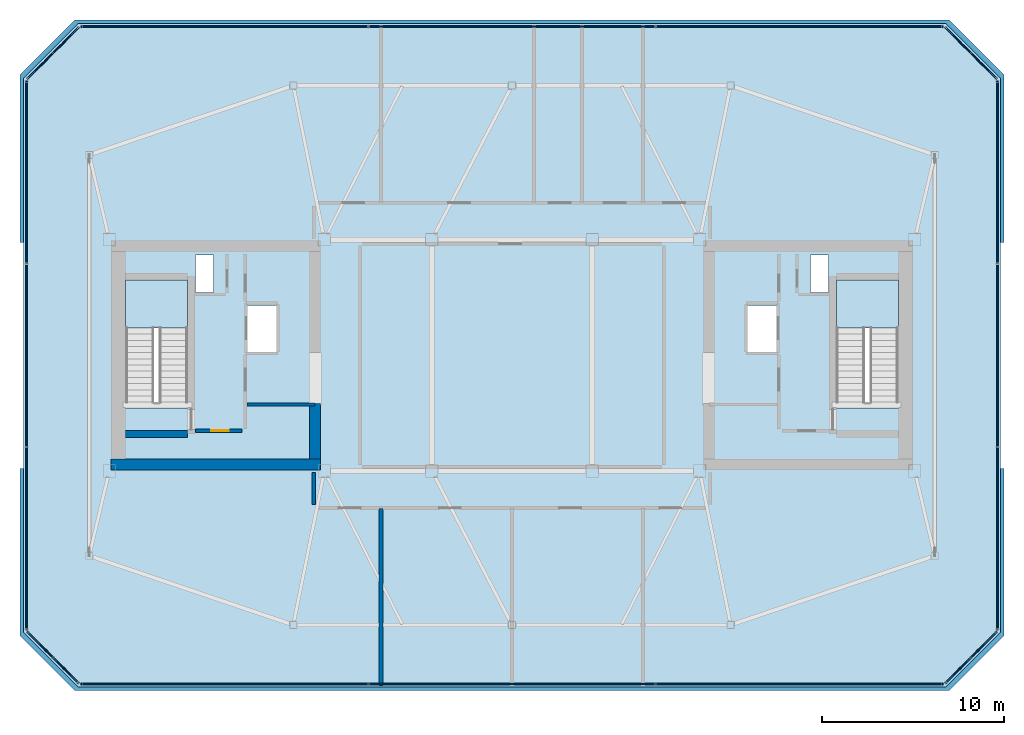
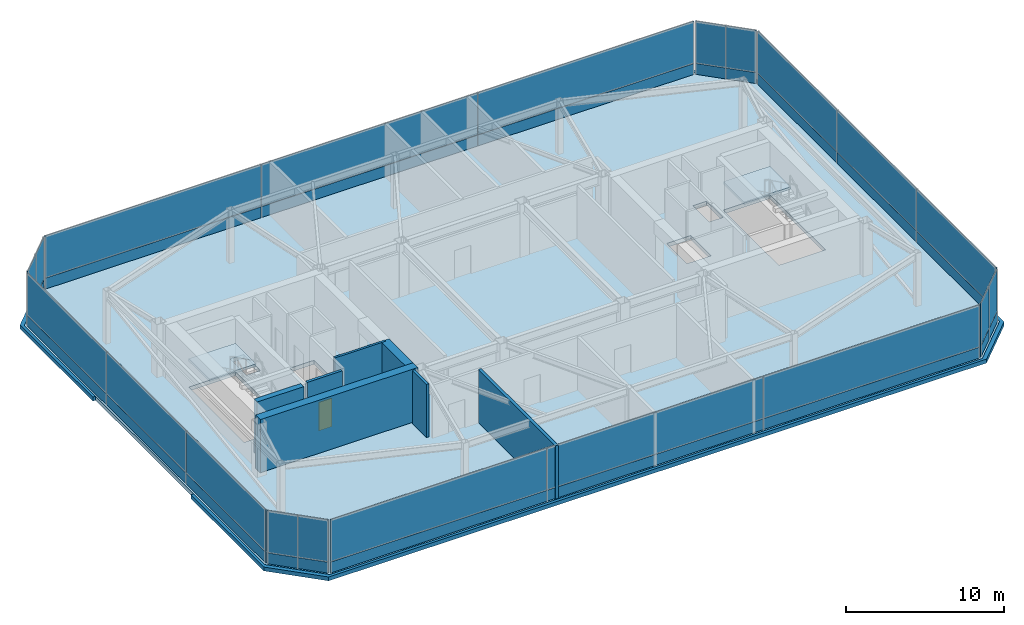
# One storey, part 17 of 22: 40 plates, 7 walls, 5 slabs, 1 door, 1 opening, 10 elements without a shape of their own.
"""IFC4 building model written with IfcOpenShell, lengths in metres."""

from ifc_helpers import new_model, si_unit, direction, frame, frame_2d, origin, origin_2d, place, context, subcontext, project, spatial, polyline, rectangle, outline, extrude, material, layer, layer_set, type_object, element, fill, aggregate, save


model = new_model("IFC4")

# Units and contexts
model_context = context("Model", 3, precision=1e-05, world=origin(), true_north=direction((0.0, 1.0)))
body_context = subcontext(model_context, "Body", "Model", "MODEL_VIEW")
ifc_project = project(units=[si_unit("LENGTHUNIT", "METRE"), si_unit("AREAUNIT", "SQUARE_METRE"), si_unit("VOLUMEUNIT", "CUBIC_METRE"), si_unit("PLANEANGLEUNIT", "RADIAN"), si_unit("MASSUNIT", "GRAM", prefix="KILO")], contexts=[model_context])

# Site, building, storey
site_placement = place(None, origin())
site = spatial("IfcSite", under=ifc_project, at=site_placement, CompositionType="ELEMENT")
building_placement = place(site_placement, origin())
building = spatial("IfcBuilding", under=site, at=building_placement, Name="Tavrogorsk Clinical Tower", CompositionType="ELEMENT")
storey_placement = place(building_placement, frame((0.0, 0.0, 339.800048828125)))
storey = spatial("IfcBuildingStorey", under=building, at=storey_placement, Name="L79", CompositionType="ELEMENT", Elevation=339.800048828125)

# Slabs
ifc_material_1 = material(Name="Concrete B60", Category="concrete")
ifc_layer_1 = layer(ifc_material_1, 0.300048828125)
ifc_layer_set_1 = layer_set([ifc_layer_1], Name="Concrete B60")
slab_type_1 = type_object("IfcSlabType", Name="CrownRoofSlab_300", PredefinedType="FLOOR", material=ifc_layer_set_1)
slab_1_placement = place(storey_placement, frame((0.0, 0.0, -0.300048828125)))
element("IfcSlab", 1, at=slab_1_placement, inside=storey, type_object=slab_type_1, Name="L79 Structural Slab", PredefinedType="FLOOR", context=body_context, shape_type="SweptSolid", body=[
    extrude(outline(polyline([(-23.800048828125, -18.199951171875), (23.800048828125, -18.199951171875), (26.800048828125, -15.199951171875), (26.800048828125, 15.199951171875), (23.800048828125, 18.199951171875), (-23.800048828125, 18.199951171875), (-26.800048828125, 15.199951171875), (-26.800048828125, -15.199951171875), (-23.800048828125, -18.199951171875)]), holes=[polyline([(-17.800048828125, -2.8798828125), (-17.800048828125, 4.125), (-21.199951171875, 4.125), (-21.199951171875, -2.8798828125), (-17.800048828125, -2.8798828125)]), polyline([(21.199951171875, -2.8798828125), (21.199951171875, 4.125), (17.800048828125, 4.125), (17.800048828125, -2.8798828125), (21.199951171875, -2.8798828125)]), polyline([(-14.6201171875, 0.169921875), (-12.860107421875, 0.169921875), (-12.860107421875, 2.72998046875), (-14.6201171875, 2.72998046875), (-14.6201171875, 0.169921875)]), polyline([(12.860107421875, 0.169921875), (14.6201171875, 0.169921875), (14.6201171875, 2.72998046875), (12.860107421875, 2.72998046875), (12.860107421875, 0.169921875)]), polyline([(-17.3798828125, 3.449951171875), (-16.3798828125, 3.449951171875), (-16.3798828125, 5.5), (-17.3798828125, 5.5), (-17.3798828125, 3.449951171875)]), polyline([(16.3798828125, 3.449951171875), (17.3798828125, 3.449951171875), (17.3798828125, 5.5), (16.3798828125, 5.5), (16.3798828125, 3.449951171875)])]), origin(), (0.0, 0.0, 1.0), 0.300048828125),
])
ifc_material_2 = material(Name="Concrete B60", Category="concrete")
ifc_layer_2 = layer(ifc_material_2, 0.300048828125)
ifc_layer_set_2 = layer_set([ifc_layer_2], Name="Concrete B60")
slab_type_2 = type_object("IfcSlabType", Name="CrownTopRoofSlab_300", PredefinedType="ROOF", material=ifc_layer_set_2)
slab_2_placement = place(storey_placement, frame((0.0, 0.0, -0.300048828125)))
element("IfcSlab", 2, at=slab_2_placement, inside=storey, type_object=slab_type_2, Name="L79 Setback Roof Slab 1", PredefinedType="ROOF", context=body_context, shape_type="SweptSolid", body=[
    extrude(outline(polyline([(-27.0, -6.199951171875), (-26.800048828125, -6.199951171875), (-26.800048828125, -15.199951171875), (-23.800048828125, -18.199951171875), (23.800048828125, -18.199951171875), (26.800048828125, -15.199951171875), (26.800048828125, -6.199951171875), (27.0, -6.199951171875), (27.0, -15.39990234375), (24.0, -18.39990234375), (-24.0, -18.39990234375), (-27.0, -15.39990234375), (-27.0, -6.199951171875)])), origin(), (0.0, 0.0, 1.0), 0.300048828125),
])
slab_3_placement = place(storey_placement, frame((0.0, 0.0, -0.300048828125)))
element("IfcSlab", 3, at=slab_3_placement, inside=storey, type_object=slab_type_2, Name="L79 Setback Roof Slab 2", PredefinedType="ROOF", context=body_context, shape_type="SweptSolid", body=[
    extrude(outline(polyline([(-27.0, 15.39990234375), (-24.0, 18.39990234375), (24.0, 18.39990234375), (27.0, 15.39990234375), (27.0, 6.199951171875), (26.800048828125, 6.199951171875), (26.800048828125, 15.199951171875), (23.800048828125, 18.199951171875), (-23.800048828125, 18.199951171875), (-26.800048828125, 15.199951171875), (-26.800048828125, 6.199951171875), (-27.0, 6.199951171875), (-27.0, 15.39990234375)])), origin(), (0.0, 0.0, 1.0), 0.300048828125),
])

# Curtain wall, plates
ifc_material_3 = material(Name="Anodised aluminium and triple IGU glazing", Category="aluminium")
ifc_layer_3 = layer(ifc_material_3, 0.179931640625)
ifc_layer_set_3 = layer_set([ifc_layer_3], Name="Anodised aluminium and triple IGU glazing")
curtain_wall_type = type_object("IfcCurtainWallType", Name="CW6_TmdLantern", PredefinedType="NOTDEFINED", material=ifc_layer_set_3)
curtain_wall_1_placement = place(storey_placement, origin())
curtain_wall_1 = element("IfcCurtainWall", 4, at=curtain_wall_1_placement, inside=storey, type_object=curtain_wall_type, Name="L79 Curtain Wall CW-L79-DRUM-1", PredefinedType="NOTDEFINED")
ifc_material_4 = material(Name="Honed Podolsk limestone spandrel panel", Category="masonry")
ifc_layer_4 = layer(ifc_material_4, 0.080078125)
ifc_layer_set_4 = layer_set([ifc_layer_4], Name="Honed Podolsk limestone spandrel panel")
plate_type_1 = type_object("IfcPlateType", Name="CwSpandrelStonePanel_80", PredefinedType="CURTAIN_PANEL", material=ifc_layer_set_4)
plate_1_placement = place(storey_placement, frame((-24.477294921875, -17.29638671875, 0.001953125), z_axis=(0.0, 0.0, 1.0), x_axis=(-0.707106781187, 0.707106781187, 0.0)))
plate_1 = element("IfcPlate", 5, at=plate_1_placement, type_object=plate_type_1, Name="CW-L79-DRUM-1 Stone Spandrel Panel 1", PredefinedType="CURTAIN_PANEL", context=body_context, shape_type="SweptSolid", body=[
    extrude(rectangle(XDim=1.98291015625, YDim=0.080078125, at=origin_2d()), origin(), (0.0, 0.0, 1.0), 0.8359375),
])
plate_2_placement = place(storey_placement, frame((-25.896484375, -15.877197265625, 0.001953125), z_axis=(0.0, 0.0, 1.0), x_axis=(-0.707106781187, 0.707106781187, 0.0)))
plate_2 = element("IfcPlate", 6, at=plate_2_placement, type_object=plate_type_1, Name="CW-L79-DRUM-1 Stone Spandrel Panel 2", PredefinedType="CURTAIN_PANEL", context=body_context, shape_type="SweptSolid", body=[
    extrude(rectangle(XDim=1.98291015625, YDim=0.080078125, at=origin_2d()), origin(), (0.0, 0.0, 1.0), 0.8359375),
])

curtain_wall_2_placement = place(storey_placement, origin())
curtain_wall_2 = element("IfcCurtainWall", 7, at=curtain_wall_2_placement, inside=storey, type_object=curtain_wall_type, Name="L79 Curtain Wall CW-L79-DRUM-2", PredefinedType="NOTDEFINED")
plate_3_placement = place(storey_placement, frame((-26.639892578125, -10.05517578125, 0.001953125), z_axis=(0.0, 0.0, 1.0), x_axis=(0.0, 1.0, 0.0)))
plate_3 = element("IfcPlate", 8, at=plate_3_placement, type_object=plate_type_1, Name="CW-L79-DRUM-2 Stone Spandrel Panel 1", PredefinedType="CURTAIN_PANEL", context=body_context, shape_type="SweptSolid", body=[
    extrude(rectangle(XDim=10.037109375, YDim=0.080078125, at=origin_2d()), origin(), (0.0, 0.0, 1.0), 0.8359375),
])
plate_4_placement = place(storey_placement, frame((-26.639892578125, 0.0, 0.001953125), z_axis=(0.0, 0.0, 1.0), x_axis=(0.0, 1.0, 0.0)))
plate_4 = element("IfcPlate", 9, at=plate_4_placement, type_object=plate_type_1, Name="CW-L79-DRUM-2 Stone Spandrel Panel 2", PredefinedType="CURTAIN_PANEL", context=body_context, shape_type="SweptSolid", body=[
    extrude(rectangle(XDim=10.025146484375, YDim=0.080078125, at=origin_2d()), origin(), (0.0, 0.0, 1.0), 0.8359375),
])
plate_5_placement = place(storey_placement, frame((-26.639892578125, 10.05517578125, 0.001953125), z_axis=(0.0, 0.0, 1.0), x_axis=(0.0, 1.0, 0.0)))
plate_5 = element("IfcPlate", 10, at=plate_5_placement, type_object=plate_type_1, Name="CW-L79-DRUM-2 Stone Spandrel Panel 3", PredefinedType="CURTAIN_PANEL", context=body_context, shape_type="SweptSolid", body=[
    extrude(rectangle(XDim=10.037109375, YDim=0.080078125, at=origin_2d()), origin(), (0.0, 0.0, 1.0), 0.8359375),
])

curtain_wall_3_placement = place(storey_placement, origin())
curtain_wall_3 = element("IfcCurtainWall", 11, at=curtain_wall_3_placement, inside=storey, type_object=curtain_wall_type, Name="L79 Curtain Wall CW-L79-DRUM-3", PredefinedType="NOTDEFINED")
plate_6_placement = place(storey_placement, frame((-25.896484375, 15.877197265625, 0.001953125), z_axis=(0.0, 0.0, 1.0), x_axis=(0.707106781187, 0.707106781187, 0.0)))
plate_6 = element("IfcPlate", 12, at=plate_6_placement, type_object=plate_type_1, Name="CW-L79-DRUM-3 Stone Spandrel Panel 1", PredefinedType="CURTAIN_PANEL", context=body_context, shape_type="SweptSolid", body=[
    extrude(rectangle(XDim=1.98291015625, YDim=0.080078125, at=origin_2d()), origin(), (0.0, 0.0, 1.0), 0.8359375),
])
plate_7_placement = place(storey_placement, frame((-24.477294921875, 17.29638671875, 0.001953125), z_axis=(0.0, 0.0, 1.0), x_axis=(0.707106781187, 0.707106781187, 0.0)))
plate_7 = element("IfcPlate", 13, at=plate_7_placement, type_object=plate_type_1, Name="CW-L79-DRUM-3 Stone Spandrel Panel 2", PredefinedType="CURTAIN_PANEL", context=body_context, shape_type="SweptSolid", body=[
    extrude(rectangle(XDim=1.98291015625, YDim=0.080078125, at=origin_2d()), origin(), (0.0, 0.0, 1.0), 0.8359375),
])

curtain_wall_4_placement = place(storey_placement, origin())
curtain_wall_4 = element("IfcCurtainWall", 14, at=curtain_wall_4_placement, inside=storey, type_object=curtain_wall_type, Name="L79 Curtain Wall CW-L79-DRUM-4", PredefinedType="NOTDEFINED")
plate_8_placement = place(storey_placement, frame((-15.78857421875, 18.0400390625, 0.001953125), z_axis=(0.0, 0.0, 1.0), x_axis=(1.0, 0.0, 0.0)))
plate_8 = element("IfcPlate", 15, at=plate_8_placement, type_object=plate_type_1, Name="CW-L79-DRUM-4 Stone Spandrel Panel 1", PredefinedType="CURTAIN_PANEL", context=body_context, shape_type="SweptSolid", body=[
    extrude(rectangle(XDim=15.7705078125, YDim=0.080078125, at=origin_2d()), origin(), (0.0, 0.0, 1.0), 0.8359375),
])
plate_9_placement = place(storey_placement, frame((0.0, 18.0400390625, 0.001953125), z_axis=(0.0, 0.0, 1.0), x_axis=(1.0, 0.0, 0.0)))
plate_9 = element("IfcPlate", 16, at=plate_9_placement, type_object=plate_type_1, Name="CW-L79-DRUM-4 Stone Spandrel Panel 2", PredefinedType="CURTAIN_PANEL", context=body_context, shape_type="SweptSolid", body=[
    extrude(rectangle(XDim=15.758544921875, YDim=0.080078125, at=origin_2d()), origin(), (0.0, 0.0, 1.0), 0.8359375),
])
plate_10_placement = place(storey_placement, frame((15.78857421875, 18.0400390625, 0.001953125), z_axis=(0.0, 0.0, 1.0), x_axis=(1.0, 0.0, 0.0)))
plate_10 = element("IfcPlate", 17, at=plate_10_placement, type_object=plate_type_1, Name="CW-L79-DRUM-4 Stone Spandrel Panel 3", PredefinedType="CURTAIN_PANEL", context=body_context, shape_type="SweptSolid", body=[
    extrude(rectangle(XDim=15.7705078125, YDim=0.080078125, at=origin_2d()), origin(), (0.0, 0.0, 1.0), 0.8359375),
])

curtain_wall_5_placement = place(storey_placement, origin())
curtain_wall_5 = element("IfcCurtainWall", 18, at=curtain_wall_5_placement, inside=storey, type_object=curtain_wall_type, Name="L79 Curtain Wall CW-L79-DRUM-5", PredefinedType="NOTDEFINED")
plate_11_placement = place(storey_placement, frame((24.477294921875, 17.29638671875, 0.001953125), z_axis=(0.0, 0.0, 1.0), x_axis=(0.707106781187, -0.707106781187, 0.0)))
plate_11 = element("IfcPlate", 19, at=plate_11_placement, type_object=plate_type_1, Name="CW-L79-DRUM-5 Stone Spandrel Panel 1", PredefinedType="CURTAIN_PANEL", context=body_context, shape_type="SweptSolid", body=[
    extrude(rectangle(XDim=1.98291015625, YDim=0.080078125, at=origin_2d()), origin(), (0.0, 0.0, 1.0), 0.8359375),
])
plate_12_placement = place(storey_placement, frame((25.896484375, 15.877197265625, 0.001953125), z_axis=(0.0, 0.0, 1.0), x_axis=(0.707106781187, -0.707106781187, 0.0)))
plate_12 = element("IfcPlate", 20, at=plate_12_placement, type_object=plate_type_1, Name="CW-L79-DRUM-5 Stone Spandrel Panel 2", PredefinedType="CURTAIN_PANEL", context=body_context, shape_type="SweptSolid", body=[
    extrude(rectangle(XDim=1.98291015625, YDim=0.080078125, at=origin_2d()), origin(), (0.0, 0.0, 1.0), 0.8359375),
])

curtain_wall_6_placement = place(storey_placement, origin())
curtain_wall_6 = element("IfcCurtainWall", 21, at=curtain_wall_6_placement, inside=storey, type_object=curtain_wall_type, Name="L79 Curtain Wall CW-L79-DRUM-6", PredefinedType="NOTDEFINED")
plate_13_placement = place(storey_placement, frame((26.639892578125, 10.05517578125, 0.001953125), z_axis=(0.0, 0.0, 1.0), x_axis=(0.0, -1.0, 0.0)))
plate_13 = element("IfcPlate", 22, at=plate_13_placement, type_object=plate_type_1, Name="CW-L79-DRUM-6 Stone Spandrel Panel 1", PredefinedType="CURTAIN_PANEL", context=body_context, shape_type="SweptSolid", body=[
    extrude(rectangle(XDim=10.037109375, YDim=0.080078125, at=origin_2d()), origin(), (0.0, 0.0, 1.0), 0.8359375),
])
plate_14_placement = place(storey_placement, frame((26.639892578125, 0.0, 0.001953125), z_axis=(0.0, 0.0, 1.0), x_axis=(0.0, -1.0, 0.0)))
plate_14 = element("IfcPlate", 23, at=plate_14_placement, type_object=plate_type_1, Name="CW-L79-DRUM-6 Stone Spandrel Panel 2", PredefinedType="CURTAIN_PANEL", context=body_context, shape_type="SweptSolid", body=[
    extrude(rectangle(XDim=10.025146484375, YDim=0.080078125, at=origin_2d()), origin(), (0.0, 0.0, 1.0), 0.8359375),
])
plate_15_placement = place(storey_placement, frame((26.639892578125, -10.05517578125, 0.001953125), z_axis=(0.0, 0.0, 1.0), x_axis=(0.0, -1.0, 0.0)))
plate_15 = element("IfcPlate", 24, at=plate_15_placement, type_object=plate_type_1, Name="CW-L79-DRUM-6 Stone Spandrel Panel 3", PredefinedType="CURTAIN_PANEL", context=body_context, shape_type="SweptSolid", body=[
    extrude(rectangle(XDim=10.037109375, YDim=0.080078125, at=origin_2d()), origin(), (0.0, 0.0, 1.0), 0.8359375),
])

curtain_wall_7_placement = place(storey_placement, origin())
curtain_wall_7 = element("IfcCurtainWall", 25, at=curtain_wall_7_placement, inside=storey, type_object=curtain_wall_type, Name="L79 Curtain Wall CW-L79-DRUM-7", PredefinedType="NOTDEFINED")
plate_16_placement = place(storey_placement, frame((25.896484375, -15.877197265625, 0.001953125), z_axis=(0.0, 0.0, 1.0), x_axis=(-0.707106781187, -0.707106781187, 0.0)))
plate_16 = element("IfcPlate", 26, at=plate_16_placement, type_object=plate_type_1, Name="CW-L79-DRUM-7 Stone Spandrel Panel 1", PredefinedType="CURTAIN_PANEL", context=body_context, shape_type="SweptSolid", body=[
    extrude(rectangle(XDim=1.98291015625, YDim=0.080078125, at=origin_2d()), origin(), (0.0, 0.0, 1.0), 0.8359375),
])
plate_17_placement = place(storey_placement, frame((24.477294921875, -17.29638671875, 0.001953125), z_axis=(0.0, 0.0, 1.0), x_axis=(-0.707106781187, -0.707106781187, 0.0)))
plate_17 = element("IfcPlate", 27, at=plate_17_placement, type_object=plate_type_1, Name="CW-L79-DRUM-7 Stone Spandrel Panel 2", PredefinedType="CURTAIN_PANEL", context=body_context, shape_type="SweptSolid", body=[
    extrude(rectangle(XDim=1.98291015625, YDim=0.080078125, at=origin_2d()), origin(), (0.0, 0.0, 1.0), 0.8359375),
])

curtain_wall_8_placement = place(storey_placement, origin())
curtain_wall_8 = element("IfcCurtainWall", 28, at=curtain_wall_8_placement, inside=storey, type_object=curtain_wall_type, Name="L79 Curtain Wall CW-L79-DRUM-8", PredefinedType="NOTDEFINED")
plate_18_placement = place(storey_placement, frame((15.78857421875, -18.0400390625, 0.001953125), z_axis=(0.0, 0.0, 1.0), x_axis=(-1.0, 0.0, 0.0)))
plate_18 = element("IfcPlate", 29, at=plate_18_placement, type_object=plate_type_1, Name="CW-L79-DRUM-8 Stone Spandrel Panel 1", PredefinedType="CURTAIN_PANEL", context=body_context, shape_type="SweptSolid", body=[
    extrude(rectangle(XDim=15.7705078125, YDim=0.080078125, at=origin_2d()), origin(), (0.0, 0.0, 1.0), 0.8359375),
])
plate_19_placement = place(storey_placement, frame((0.0, -18.0400390625, 0.001953125), z_axis=(0.0, 0.0, 1.0), x_axis=(-1.0, 0.0, 0.0)))
plate_19 = element("IfcPlate", 30, at=plate_19_placement, type_object=plate_type_1, Name="CW-L79-DRUM-8 Stone Spandrel Panel 2", PredefinedType="CURTAIN_PANEL", context=body_context, shape_type="SweptSolid", body=[
    extrude(rectangle(XDim=15.758544921875, YDim=0.080078125, at=origin_2d()), origin(), (0.0, 0.0, 1.0), 0.8359375),
])
plate_20_placement = place(storey_placement, frame((-15.78857421875, -18.0400390625, 0.001953125), z_axis=(0.0, 0.0, 1.0), x_axis=(-1.0, 0.0, 0.0)))
plate_20 = element("IfcPlate", 31, at=plate_20_placement, type_object=plate_type_1, Name="CW-L79-DRUM-8 Stone Spandrel Panel 3", PredefinedType="CURTAIN_PANEL", context=body_context, shape_type="SweptSolid", body=[
    extrude(rectangle(XDim=15.7705078125, YDim=0.080078125, at=origin_2d()), origin(), (0.0, 0.0, 1.0), 0.8359375),
])

# Plate
ifc_material_5 = material(Name="Diffused translucent insulated glass", Category="glass")
ifc_layer_5 = layer(ifc_material_5, 0.06005859375)
ifc_layer_set_5 = layer_set([ifc_layer_5], Name="Diffused translucent insulated glass")
plate_type_2 = type_object("IfcPlateType", Name="CwTranslucentLanternPanel_60", PredefinedType="CURTAIN_PANEL", material=ifc_layer_set_5)
plate_21_placement = place(storey_placement, frame((-24.477294921875, -17.29638671875, 0.86181640625), z_axis=(0.0, 0.0, 1.0), x_axis=(-0.707106781187, 0.707106781187, 0.0)))
plate_21 = element("IfcPlate", 32, at=plate_21_placement, type_object=plate_type_2, Name="CW-L79-DRUM-1 Glazing Panel 1", PredefinedType="CURTAIN_PANEL", context=body_context, shape_type="SweptSolid", body=[
    extrude(rectangle(XDim=1.98291015625, YDim=0.06005859375, at=origin_2d()), origin(), (0.0, 0.0, 1.0), 3.236083984375),
])

plate_22_placement = place(storey_placement, frame((-25.896484375, -15.877197265625, 0.86181640625), z_axis=(0.0, 0.0, 1.0), x_axis=(-0.707106781187, 0.707106781187, 0.0)))
plate_22 = element("IfcPlate", 33, at=plate_22_placement, type_object=plate_type_2, Name="CW-L79-DRUM-1 Glazing Panel 2", PredefinedType="CURTAIN_PANEL", context=body_context, shape_type="SweptSolid", body=[
    extrude(rectangle(XDim=1.98291015625, YDim=0.06005859375, at=origin_2d()), origin(), (0.0, 0.0, 1.0), 3.236083984375),
])

aggregate(curtain_wall_1, [plate_1, plate_21, plate_2, plate_22])

plate_23_placement = place(storey_placement, frame((-26.639892578125, -10.05517578125, 0.86181640625), z_axis=(0.0, 0.0, 1.0), x_axis=(0.0, 1.0, 0.0)))
plate_23 = element("IfcPlate", 34, at=plate_23_placement, type_object=plate_type_2, Name="CW-L79-DRUM-2 Glazing Panel 1", PredefinedType="CURTAIN_PANEL", context=body_context, shape_type="SweptSolid", body=[
    extrude(rectangle(XDim=10.037109375, YDim=0.06005859375, at=origin_2d()), origin(), (0.0, 0.0, 1.0), 3.236083984375),
])

plate_24_placement = place(storey_placement, frame((-26.639892578125, 0.0, 0.86181640625), z_axis=(0.0, 0.0, 1.0), x_axis=(0.0, 1.0, 0.0)))
plate_24 = element("IfcPlate", 35, at=plate_24_placement, type_object=plate_type_2, Name="CW-L79-DRUM-2 Glazing Panel 2", PredefinedType="CURTAIN_PANEL", context=body_context, shape_type="SweptSolid", body=[
    extrude(rectangle(XDim=10.025146484375, YDim=0.06005859375, at=origin_2d()), origin(), (0.0, 0.0, 1.0), 3.236083984375),
])

plate_25_placement = place(storey_placement, frame((-26.639892578125, 10.05517578125, 0.86181640625), z_axis=(0.0, 0.0, 1.0), x_axis=(0.0, 1.0, 0.0)))
plate_25 = element("IfcPlate", 36, at=plate_25_placement, type_object=plate_type_2, Name="CW-L79-DRUM-2 Glazing Panel 3", PredefinedType="CURTAIN_PANEL", context=body_context, shape_type="SweptSolid", body=[
    extrude(rectangle(XDim=10.037109375, YDim=0.06005859375, at=origin_2d()), origin(), (0.0, 0.0, 1.0), 3.236083984375),
])

aggregate(curtain_wall_2, [plate_3, plate_23, plate_4, plate_24, plate_5, plate_25])

plate_26_placement = place(storey_placement, frame((-25.896484375, 15.877197265625, 0.86181640625), z_axis=(0.0, 0.0, 1.0), x_axis=(0.707106781187, 0.707106781187, 0.0)))
plate_26 = element("IfcPlate", 37, at=plate_26_placement, type_object=plate_type_2, Name="CW-L79-DRUM-3 Glazing Panel 1", PredefinedType="CURTAIN_PANEL", context=body_context, shape_type="SweptSolid", body=[
    extrude(rectangle(XDim=1.98291015625, YDim=0.06005859375, at=origin_2d()), origin(), (0.0, 0.0, 1.0), 3.236083984375),
])

plate_27_placement = place(storey_placement, frame((-24.477294921875, 17.29638671875, 0.86181640625), z_axis=(0.0, 0.0, 1.0), x_axis=(0.707106781187, 0.707106781187, 0.0)))
plate_27 = element("IfcPlate", 38, at=plate_27_placement, type_object=plate_type_2, Name="CW-L79-DRUM-3 Glazing Panel 2", PredefinedType="CURTAIN_PANEL", context=body_context, shape_type="SweptSolid", body=[
    extrude(rectangle(XDim=1.98291015625, YDim=0.06005859375, at=origin_2d()), origin(), (0.0, 0.0, 1.0), 3.236083984375),
])

aggregate(curtain_wall_3, [plate_6, plate_26, plate_7, plate_27])

plate_28_placement = place(storey_placement, frame((-15.78857421875, 18.0400390625, 0.86181640625), z_axis=(0.0, 0.0, 1.0), x_axis=(1.0, 0.0, 0.0)))
plate_28 = element("IfcPlate", 39, at=plate_28_placement, type_object=plate_type_2, Name="CW-L79-DRUM-4 Glazing Panel 1", PredefinedType="CURTAIN_PANEL", context=body_context, shape_type="SweptSolid", body=[
    extrude(rectangle(XDim=15.7705078125, YDim=0.06005859375, at=origin_2d()), origin(), (0.0, 0.0, 1.0), 3.236083984375),
])

plate_29_placement = place(storey_placement, frame((0.0, 18.0400390625, 0.86181640625), z_axis=(0.0, 0.0, 1.0), x_axis=(1.0, 0.0, 0.0)))
plate_29 = element("IfcPlate", 40, at=plate_29_placement, type_object=plate_type_2, Name="CW-L79-DRUM-4 Glazing Panel 2", PredefinedType="CURTAIN_PANEL", context=body_context, shape_type="SweptSolid", body=[
    extrude(rectangle(XDim=15.758544921875, YDim=0.06005859375, at=origin_2d()), origin(), (0.0, 0.0, 1.0), 3.236083984375),
])

plate_30_placement = place(storey_placement, frame((15.78857421875, 18.0400390625, 0.86181640625), z_axis=(0.0, 0.0, 1.0), x_axis=(1.0, 0.0, 0.0)))
plate_30 = element("IfcPlate", 41, at=plate_30_placement, type_object=plate_type_2, Name="CW-L79-DRUM-4 Glazing Panel 3", PredefinedType="CURTAIN_PANEL", context=body_context, shape_type="SweptSolid", body=[
    extrude(rectangle(XDim=15.7705078125, YDim=0.06005859375, at=origin_2d()), origin(), (0.0, 0.0, 1.0), 3.236083984375),
])

aggregate(curtain_wall_4, [plate_8, plate_28, plate_9, plate_29, plate_10, plate_30])

plate_31_placement = place(storey_placement, frame((24.477294921875, 17.29638671875, 0.86181640625), z_axis=(0.0, 0.0, 1.0), x_axis=(0.707106781187, -0.707106781187, 0.0)))
plate_31 = element("IfcPlate", 42, at=plate_31_placement, type_object=plate_type_2, Name="CW-L79-DRUM-5 Glazing Panel 1", PredefinedType="CURTAIN_PANEL", context=body_context, shape_type="SweptSolid", body=[
    extrude(rectangle(XDim=1.98291015625, YDim=0.06005859375, at=origin_2d()), origin(), (0.0, 0.0, 1.0), 3.236083984375),
])

plate_32_placement = place(storey_placement, frame((25.896484375, 15.877197265625, 0.86181640625), z_axis=(0.0, 0.0, 1.0), x_axis=(0.707106781187, -0.707106781187, 0.0)))
plate_32 = element("IfcPlate", 43, at=plate_32_placement, type_object=plate_type_2, Name="CW-L79-DRUM-5 Glazing Panel 2", PredefinedType="CURTAIN_PANEL", context=body_context, shape_type="SweptSolid", body=[
    extrude(rectangle(XDim=1.98291015625, YDim=0.06005859375, at=origin_2d()), origin(), (0.0, 0.0, 1.0), 3.236083984375),
])

aggregate(curtain_wall_5, [plate_11, plate_31, plate_12, plate_32])

plate_33_placement = place(storey_placement, frame((26.639892578125, 10.05517578125, 0.86181640625), z_axis=(0.0, 0.0, 1.0), x_axis=(0.0, -1.0, 0.0)))
plate_33 = element("IfcPlate", 44, at=plate_33_placement, type_object=plate_type_2, Name="CW-L79-DRUM-6 Glazing Panel 1", PredefinedType="CURTAIN_PANEL", context=body_context, shape_type="SweptSolid", body=[
    extrude(rectangle(XDim=10.037109375, YDim=0.06005859375, at=origin_2d()), origin(), (0.0, 0.0, 1.0), 3.236083984375),
])

plate_34_placement = place(storey_placement, frame((26.639892578125, 0.0, 0.86181640625), z_axis=(0.0, 0.0, 1.0), x_axis=(0.0, -1.0, 0.0)))
plate_34 = element("IfcPlate", 45, at=plate_34_placement, type_object=plate_type_2, Name="CW-L79-DRUM-6 Glazing Panel 2", PredefinedType="CURTAIN_PANEL", context=body_context, shape_type="SweptSolid", body=[
    extrude(rectangle(XDim=10.025146484375, YDim=0.06005859375, at=origin_2d()), origin(), (0.0, 0.0, 1.0), 3.236083984375),
])

plate_35_placement = place(storey_placement, frame((26.639892578125, -10.05517578125, 0.86181640625), z_axis=(0.0, 0.0, 1.0), x_axis=(0.0, -1.0, 0.0)))
plate_35 = element("IfcPlate", 46, at=plate_35_placement, type_object=plate_type_2, Name="CW-L79-DRUM-6 Glazing Panel 3", PredefinedType="CURTAIN_PANEL", context=body_context, shape_type="SweptSolid", body=[
    extrude(rectangle(XDim=10.037109375, YDim=0.06005859375, at=origin_2d()), origin(), (0.0, 0.0, 1.0), 3.236083984375),
])

aggregate(curtain_wall_6, [plate_13, plate_33, plate_14, plate_34, plate_15, plate_35])

plate_36_placement = place(storey_placement, frame((25.896484375, -15.877197265625, 0.86181640625), z_axis=(0.0, 0.0, 1.0), x_axis=(-0.707106781187, -0.707106781187, 0.0)))
plate_36 = element("IfcPlate", 47, at=plate_36_placement, type_object=plate_type_2, Name="CW-L79-DRUM-7 Glazing Panel 1", PredefinedType="CURTAIN_PANEL", context=body_context, shape_type="SweptSolid", body=[
    extrude(rectangle(XDim=1.98291015625, YDim=0.06005859375, at=origin_2d()), origin(), (0.0, 0.0, 1.0), 3.236083984375),
])

plate_37_placement = place(storey_placement, frame((24.477294921875, -17.29638671875, 0.86181640625), z_axis=(0.0, 0.0, 1.0), x_axis=(-0.707106781187, -0.707106781187, 0.0)))
plate_37 = element("IfcPlate", 48, at=plate_37_placement, type_object=plate_type_2, Name="CW-L79-DRUM-7 Glazing Panel 2", PredefinedType="CURTAIN_PANEL", context=body_context, shape_type="SweptSolid", body=[
    extrude(rectangle(XDim=1.98291015625, YDim=0.06005859375, at=origin_2d()), origin(), (0.0, 0.0, 1.0), 3.236083984375),
])

aggregate(curtain_wall_7, [plate_16, plate_36, plate_17, plate_37])

plate_38_placement = place(storey_placement, frame((15.78857421875, -18.0400390625, 0.86181640625), z_axis=(0.0, 0.0, 1.0), x_axis=(-1.0, 0.0, 0.0)))
plate_38 = element("IfcPlate", 49, at=plate_38_placement, type_object=plate_type_2, Name="CW-L79-DRUM-8 Glazing Panel 1", PredefinedType="CURTAIN_PANEL", context=body_context, shape_type="SweptSolid", body=[
    extrude(rectangle(XDim=15.7705078125, YDim=0.06005859375, at=origin_2d()), origin(), (0.0, 0.0, 1.0), 3.236083984375),
])

plate_39_placement = place(storey_placement, frame((0.0, -18.0400390625, 0.86181640625), z_axis=(0.0, 0.0, 1.0), x_axis=(-1.0, 0.0, 0.0)))
plate_39 = element("IfcPlate", 50, at=plate_39_placement, type_object=plate_type_2, Name="CW-L79-DRUM-8 Glazing Panel 2", PredefinedType="CURTAIN_PANEL", context=body_context, shape_type="SweptSolid", body=[
    extrude(rectangle(XDim=15.758544921875, YDim=0.06005859375, at=origin_2d()), origin(), (0.0, 0.0, 1.0), 3.236083984375),
])

plate_40_placement = place(storey_placement, frame((-15.78857421875, -18.0400390625, 0.86181640625), z_axis=(0.0, 0.0, 1.0), x_axis=(-1.0, 0.0, 0.0)))
plate_40 = element("IfcPlate", 51, at=plate_40_placement, type_object=plate_type_2, Name="CW-L79-DRUM-8 Glazing Panel 3", PredefinedType="CURTAIN_PANEL", context=body_context, shape_type="SweptSolid", body=[
    extrude(rectangle(XDim=15.7705078125, YDim=0.06005859375, at=origin_2d()), origin(), (0.0, 0.0, 1.0), 3.236083984375),
])

aggregate(curtain_wall_8, [plate_18, plate_38, plate_19, plate_39, plate_20, plate_40])

# Stair, slab
ifc_material_6 = material(Name="Concrete B60", Category="concrete")
stair_type = type_object("IfcStairType", Name="CoreStairAssembly", PredefinedType="HALF_TURN_STAIR", material=ifc_material_6)
stair_1_placement = place(storey_placement, origin())
stair_1 = element("IfcStair", 52, at=stair_1_placement, inside=storey, type_object=stair_type, Name="L79 ST-W", PredefinedType="HALF_TURN_STAIR")
ifc_material_7 = material(Name="Concrete B60", Category="concrete")
ifc_layer_6 = layer(ifc_material_7, 0.199951171875)
ifc_layer_set_6 = layer_set([ifc_layer_6], Name="Concrete B60")
slab_type_3 = type_object("IfcSlabType", Name="StairLanding_200", PredefinedType="LANDING", material=ifc_layer_set_6)
slab_4_placement = place(storey_placement, frame((0.0, 0.0, 2.0)))
slab_4 = element("IfcSlab", 53, at=slab_4_placement, type_object=slab_type_3, Name="ST-W landing 1", PredefinedType="LANDING", context=body_context, shape_type="SweptSolid", body=[
    extrude(outline(polyline([(-17.800048828125, 1.5048828125), (-17.800048828125, 4.125), (-21.199951171875, 4.125), (-21.199951171875, 1.5048828125), (-17.800048828125, 1.5048828125)])), origin(), (0.0, 0.0, 1.0), 0.199951171875),
])
aggregate(stair_1, [slab_4])

stair_2_placement = place(storey_placement, origin())
stair_2 = element("IfcStair", 54, at=stair_2_placement, inside=storey, type_object=stair_type, Name="L79 ST-E", PredefinedType="HALF_TURN_STAIR")
slab_5_placement = place(storey_placement, frame((0.0, 0.0, 2.0)))
slab_5 = element("IfcSlab", 55, at=slab_5_placement, type_object=slab_type_3, Name="ST-E landing 1", PredefinedType="LANDING", context=body_context, shape_type="SweptSolid", body=[
    extrude(outline(polyline([(21.199951171875, 1.5048828125), (21.199951171875, 4.125), (17.800048828125, 4.125), (17.800048828125, 1.5048828125), (21.199951171875, 1.5048828125)])), origin(), (0.0, 0.0, 1.0), 0.199951171875),
])
aggregate(stair_2, [slab_5])

# Wall, opening, door
ifc_material_8 = material(Name="Concrete B60", Category="concrete")
ifc_layer_7 = layer(ifc_material_8, 0.199951171875)
ifc_layer_set_7 = layer_set([ifc_layer_7], Name="Concrete B60")
wall_type_1 = type_object("IfcWallType", Name="CoreFireWall_200", PredefinedType="SOLIDWALL", material=ifc_layer_set_7)
wall_1_placement = place(storey_placement, frame((-17.3798828125, -4.139892578125, 0.0), z_axis=(0.0, 0.0, 1.0), x_axis=(1.0, 0.0, 0.0)))
wall_1 = element("IfcWall", 56, at=wall_1_placement, inside=storey, type_object=wall_type_1, Name="L79 Core West South Core Room Fire Wall", PredefinedType="SOLIDWALL", context=body_context, shape_type="SweptSolid", body=[
    extrude(rectangle(XDim=2.554931640625, YDim=0.199951171875, at=frame_2d((1.27734375, 0.0))), origin(), (0.0, 0.0, 1.0), 4.099853515625),
])
opening_placement = place(wall_1_placement, frame((0.8798828125, 0.0, 0.0)))
opening = element("IfcOpeningElement", 57, at=opening_placement, cuts=wall_1, Name="Opening ID-02", PredefinedType="OPENING", context=body_context, shape_type="SweptSolid", body=[
    extrude(rectangle(XDim=0.949951171875, YDim=2.199951171875, at=frame_2d((0.47509765625, 1.10009765625))), frame((0.0, 0.10986328125, 0.0), z_axis=(0.0, -1.0, 0.0), x_axis=(1.0, 0.0, 0.0)), (0.0, 0.0, 1.0), 0.219970703125),
])
ifc_material_9 = material(Name="Laminated timber leaf on aluminium frame", Category="wood")
door_type = type_object("IfcDoorType", Name="InteriorDoor_ID02_950", OperationType="NOTDEFINED", PredefinedType="DOOR", material=ifc_material_9)
door_placement = place(opening_placement, origin())
door = element("IfcDoor", 58, at=door_placement, inside=storey, type_object=door_type, Name="L79 Core West South Core Room Door", OperationType="SINGLE_SWING_RIGHT", OverallHeight=2.199951171875, OverallWidth=0.949951171875, PredefinedType="DOOR", context=body_context, shape_type="SweptSolid", body=[
    extrude(rectangle(XDim=0.949951171875, YDim=2.199951171875, at=frame_2d((0.47509765625, 1.10009765625))), frame((0.0, 0.02490234375, 0.0), z_axis=(0.0, -1.0, 0.0), x_axis=(1.0, 0.0, 0.0)), (0.0, 0.0, 1.0), 0.050048828125),
])
fill(opening, door)

# Walls
wall_2_placement = place(storey_placement, frame((-10.8798828125, -8.195068359375, 0.0), z_axis=(0.0, 0.0, 1.0), x_axis=(0.0, 1.0, 0.0)))
element("IfcWall", 59, at=wall_2_placement, inside=storey, type_object=wall_type_1, Name="L79 Crown Corridor Wall 01", PredefinedType="SOLIDWALL", context=body_context, shape_type="SweptSolid", body=[
    extrude(rectangle(XDim=1.775146484375, YDim=0.199951171875, at=frame_2d((0.8876953125, 0.0))), origin(), (0.0, 0.0, 1.0), 4.099853515625),
])
ifc_material_10 = material(Name="Lightweight concrete blockwork B15", Category="masonry")
ifc_layer_8 = layer(ifc_material_10, 0.159912109375)
ifc_layer_set_8 = layer_set([ifc_layer_8], Name="Lightweight concrete blockwork B15")
wall_type_2 = type_object("IfcWallType", Name="PartitionWall_160", PredefinedType="PARTITIONING", material=ifc_layer_set_8)
wall_3_placement = place(storey_placement, frame((-14.534912109375, -2.699951171875, 0.0), z_axis=(0.0, 0.0, 1.0), x_axis=(1.0, 0.0, 0.0)))
element("IfcWall", 60, at=wall_3_placement, inside=storey, type_object=wall_type_2, Name="L79 Core West Freed Mid-Bank North Partition", PredefinedType="PARTITIONING", context=body_context, shape_type="SweptSolid", body=[
    extrude(rectangle(XDim=3.73486328125, YDim=0.159912109375, at=frame_2d((1.867431640625, 0.0))), origin(), (0.0, 0.0, 1.0), 4.099853515625),
])
ifc_material_11 = material(Name="Concrete B45", Category="concrete")
ifc_layer_9 = layer(ifc_material_11, 0.219970703125)
ifc_layer_set_9 = layer_set([ifc_layer_9], Name="Concrete B45")
wall_type_3 = type_object("IfcWallType", Name="PartitionWall_220", PredefinedType="SOLIDWALL", material=ifc_layer_set_9)
wall_4_placement = place(storey_placement, frame((-7.199951171875, -18.1298828125, 0.0), z_axis=(0.0, 0.0, 1.0), x_axis=(0.0, 1.0, 0.0)))
element("IfcWall", 61, at=wall_4_placement, inside=storey, type_object=wall_type_3, Name="L79 Crown Partition 1", PredefinedType="SOLIDWALL", context=body_context, shape_type="SweptSolid", body=[
    extrude(rectangle(XDim=9.724853515625, YDim=0.219970703125, at=frame_2d((4.8623046875, 0.0))), origin(), (0.0, 0.0, 1.0), 4.099853515625),
])
ifc_material_12 = material(Name="Concrete B80", Category="concrete")
ifc_layer_10 = layer(ifc_material_12, 0.39990234375)
ifc_layer_set_10 = layer_set([ifc_layer_10], Name="Concrete B80")
wall_type_4 = type_object("IfcWallType", Name="ShearWall_400", PredefinedType="SHEAR", material=ifc_layer_set_10)
wall_5_placement = place(storey_placement, frame((-21.199951171875, -4.324951171875, 0.0), z_axis=(0.0, 0.0, 1.0), x_axis=(1.0, 0.0, 0.0)))
element("IfcWall", 62, at=wall_5_placement, inside=storey, type_object=wall_type_4, Name="L79 Core West Stair Shaft South Shear Wall", PredefinedType="SHEAR", context=body_context, shape_type="SweptSolid", body=[
    extrude(rectangle(XDim=3.39990234375, YDim=0.39990234375, at=frame_2d((1.699951171875, 0.0))), origin(), (0.0, 0.0, 1.0), 4.099853515625),
])
ifc_material_13 = material(Name="Concrete B80", Category="concrete")
ifc_layer_11 = layer(ifc_material_13, 0.60009765625)
ifc_layer_set_11 = layer_set([ifc_layer_11], Name="Concrete B80")
wall_type_5 = type_object("IfcWallType", Name="ShearWall_600", PredefinedType="SHEAR", material=ifc_layer_set_11)
wall_6_placement = place(storey_placement, frame((-22.0, -6.0, 0.0), z_axis=(0.0, 0.0, 1.0), x_axis=(1.0, 0.0, 0.0)))
element("IfcWall", 63, at=wall_6_placement, inside=storey, type_object=wall_type_5, Name="L79 Core West South Shear Wall", PredefinedType="SHEAR", context=body_context, shape_type="SweptSolid", body=[
    extrude(rectangle(XDim=11.5, YDim=0.60009765625, at=frame_2d((5.75, 0.0))), origin(), (0.0, 0.0, 1.0), 4.099853515625),
])
wall_7_placement = place(storey_placement, frame((-10.800048828125, -5.699951171875, 0.0), z_axis=(0.0, 0.0, 1.0), x_axis=(0.0, 1.0, 0.0)))
element("IfcWall", 64, at=wall_7_placement, inside=storey, type_object=wall_type_5, Name="L79 Core West Inner South Pier", PredefinedType="SHEAR", context=body_context, shape_type="SweptSolid", body=[
    extrude(rectangle(XDim=3.050048828125, YDim=0.60009765625, at=frame_2d((1.52490234375, 0.0))), origin(), (0.0, 0.0, 1.0), 4.099853515625),
])

save(model, "model.ifc")
